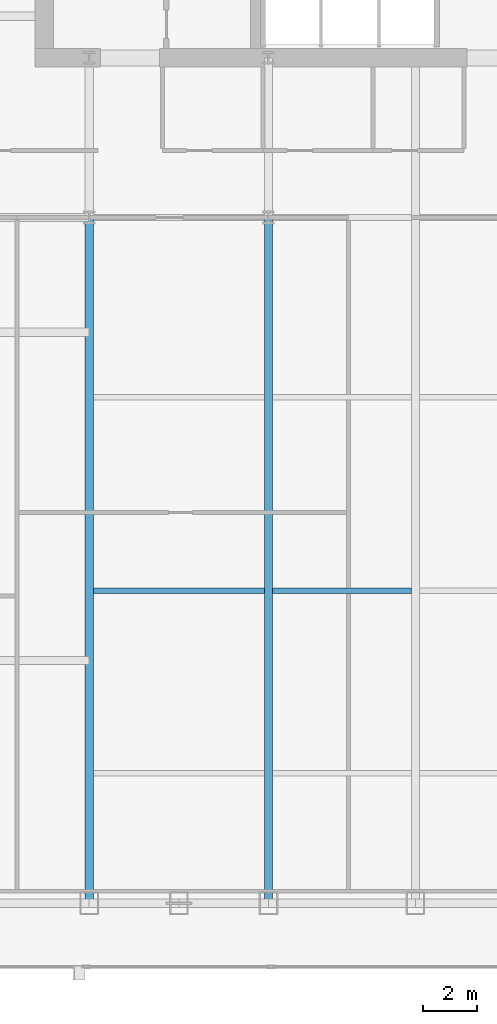
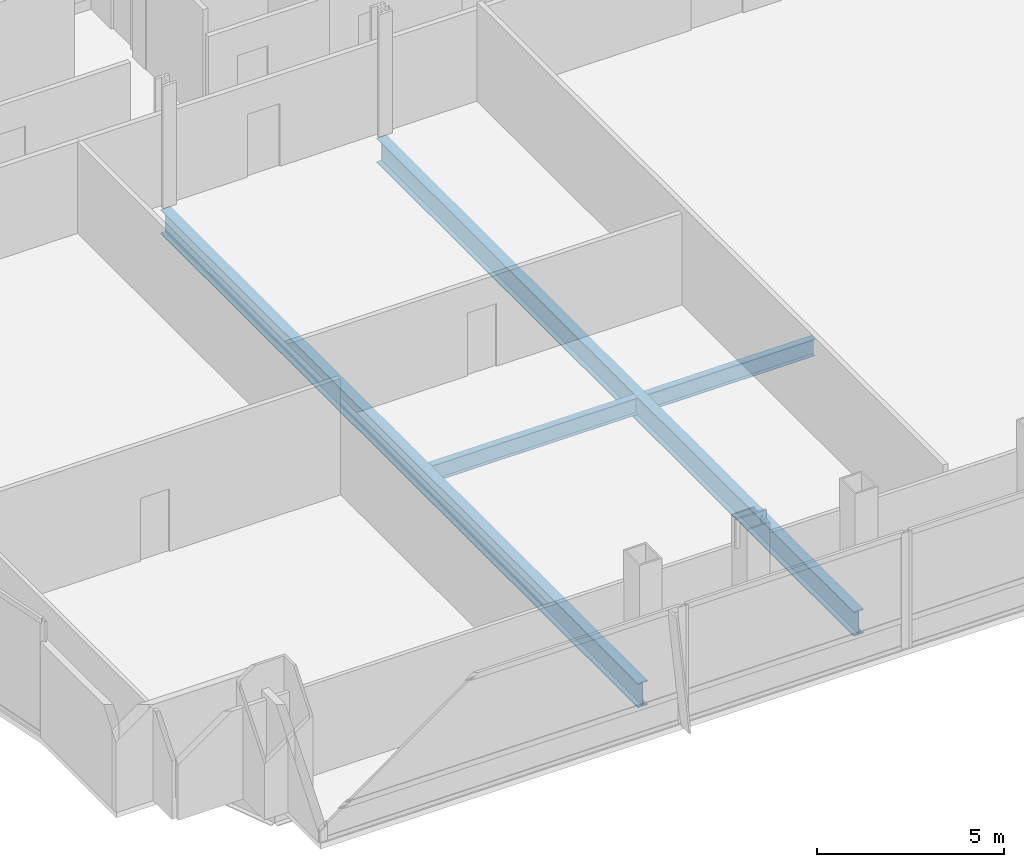
# One storey, part 9 of 34: 4 beams.
"""IFC4 building model written with IfcOpenShell, lengths in metres."""

from ifc_helpers import new_model, si_unit, direction, frame, origin, origin_2d, place, context, subcontext, project, spatial, i_section, extrude, material, material_profile, profile_set, type_object, element, save


model = new_model("IFC4")

# Units and contexts
model_context = context("Model", 3, precision=1e-05, world=origin(), true_north=direction((0.0, 1.0)))
body_context = subcontext(model_context, "Body", "Model", "MODEL_VIEW")
ifc_project = project(units=[si_unit("LENGTHUNIT", "METRE"), si_unit("AREAUNIT", "SQUARE_METRE"), si_unit("VOLUMEUNIT", "CUBIC_METRE"), si_unit("PLANEANGLEUNIT", "RADIAN"), si_unit("MASSUNIT", "GRAM", prefix="KILO")], contexts=[model_context])

# Site, building, storey
site_placement = place(None, origin())
site = spatial("IfcSite", under=ifc_project, at=site_placement, CompositionType="ELEMENT")
building_placement = place(site_placement, origin())
building = spatial("IfcBuilding", under=site, at=building_placement, Name="Khoronbel Lancet Exchange", CompositionType="ELEMENT")
storey_placement = place(building_placement, frame((0.0, 0.0, 102.60009765625)))
storey = spatial("IfcBuildingStorey", under=building, at=storey_placement, Name="L24", CompositionType="ELEMENT", Elevation=102.60009765625)

# Beams
ifc_material = material(Name="Steel S355", Category="steel")
ifc_material_profile_1 = material_profile(ifc_material, i_section(OverallWidth=0.300048828125, OverallDepth=0.800048828125, WebThickness=0.017578125, FlangeThickness=0.032958984375, at=origin_2d()), Name="HEB 800")
ifc_profile_set_1 = profile_set([ifc_material_profile_1], Name="Steel S355")
beam_type_1 = type_object("IfcBeamType", Name="BM-BG2", PredefinedType="BEAM", material=ifc_profile_set_1)
for number, where, z_axis, x_axis, name in (
    (1, (18.22509765625, 10.14990234375, -0.580078125), (0.0, 1.0, 0.0), (-1.0, 0.0, 0.0), "Level L24 south primary girder GS1"),
    (2, (24.89990234375, 10.14990234375, -0.580078125), (0.0, 1.0, 0.0), (-1.0, 0.0, 0.0), "Level L24 south primary girder GS2"),
):
    element("IfcBeam", number, at=place(storey_placement, frame(where, z_axis=z_axis, x_axis=x_axis)), inside=storey, type_object=beam_type_1, Name=name, PredefinedType="BEAM", context=body_context, shape_type="SweptSolid", body=[
        extrude(i_section(OverallWidth=0.300048828125, OverallDepth=0.800048828125, WebThickness=0.017578125, FlangeThickness=0.032958984375, at=origin_2d()), origin(), (0.0, 0.0, 1.0), 25.550048828125),
    ])
ifc_material_profile_2 = material_profile(ifc_material, i_section(OverallWidth=0.2099609375, OverallDepth=0.550048828125, WebThickness=0.010986328125, FlangeThickness=0.01708984375, at=origin_2d()), Name="IPE 550")
ifc_profile_set_2 = profile_set([ifc_material_profile_2], Name="Steel S355")
beam_type_2 = type_object("IfcBeamType", Name="BM-BJ2", PredefinedType="JOIST", material=ifc_profile_set_2)
beam_1_placement = place(storey_placement, frame((18.375, 21.800048828125, -0.455078125), z_axis=(1.0, 0.0, 0.0), x_axis=(0.0, 1.0, 0.0)))
element("IfcBeam", 3, at=beam_1_placement, inside=storey, type_object=beam_type_2, Name="Level L24 secondary composite joist J06", PredefinedType="JOIST", context=body_context, shape_type="SweptSolid", body=[
    extrude(i_section(OverallWidth=0.2099609375, OverallDepth=0.550048828125, WebThickness=0.010986328125, FlangeThickness=0.01708984375, at=origin_2d()), origin(), (0.0, 0.0, 1.0), 6.375),
])
beam_2_placement = place(storey_placement, frame((25.050048828125, 21.800048828125, -0.455078125), z_axis=(1.0, 0.0, 0.0), x_axis=(0.0, 1.0, 0.0)))
element("IfcBeam", 4, at=beam_2_placement, inside=storey, type_object=beam_type_2, Name="Level L24 secondary composite joist J07", PredefinedType="JOIST", context=body_context, shape_type="SweptSolid", body=[
    extrude(i_section(OverallWidth=0.2099609375, OverallDepth=0.550048828125, WebThickness=0.010986328125, FlangeThickness=0.01708984375, at=origin_2d()), origin(), (0.0, 0.0, 1.0), 5.175048828125),
])

save(model, "model.ifc")
